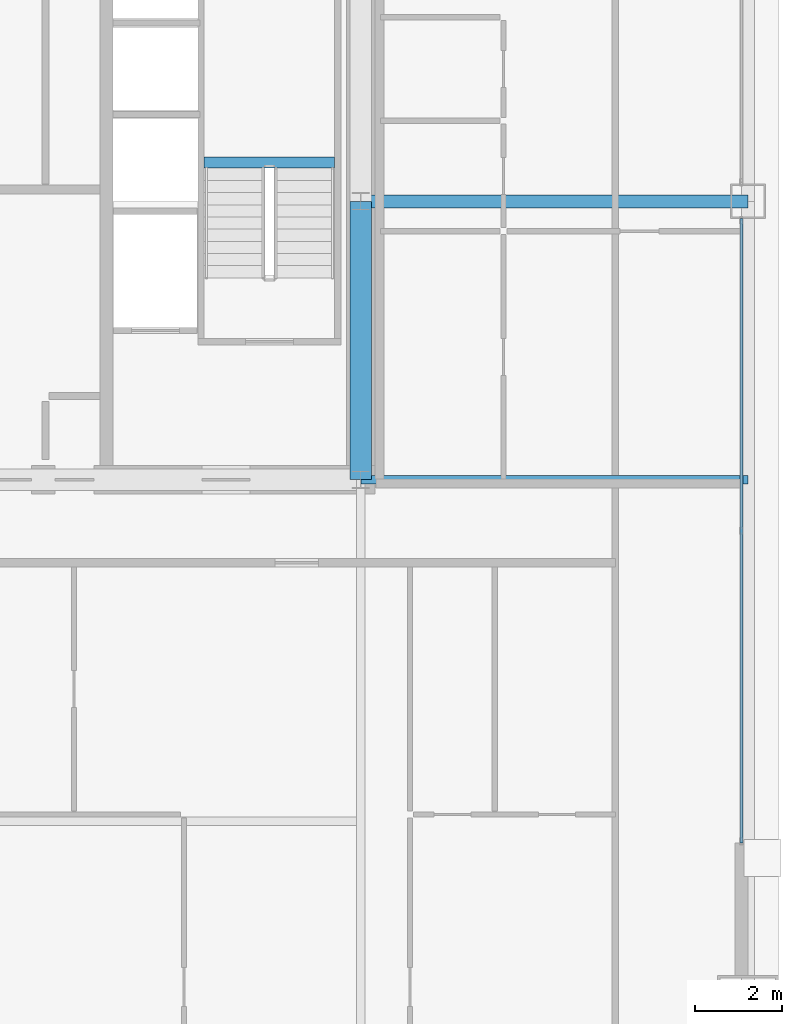
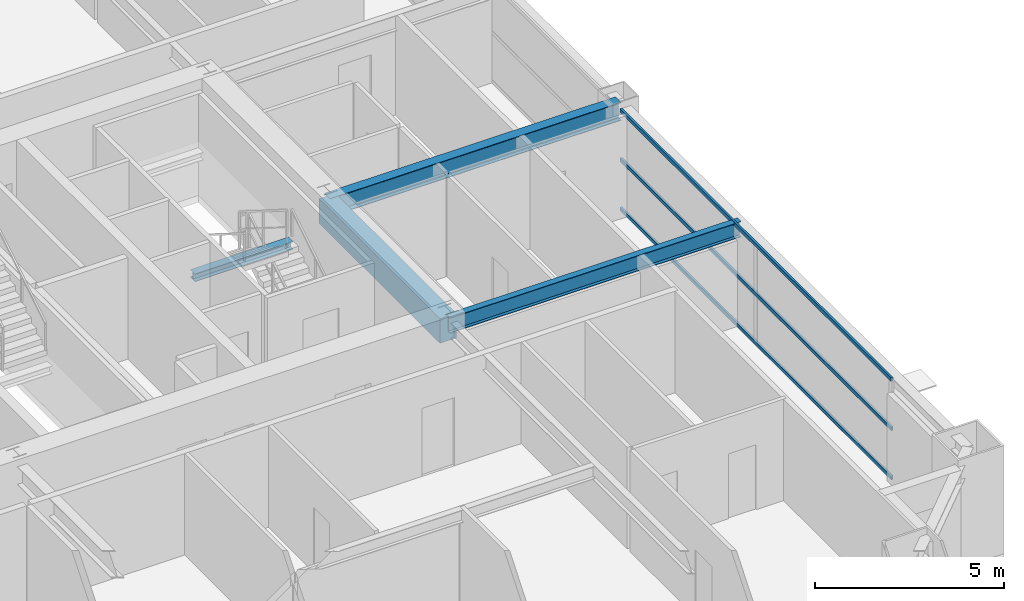
# One storey, part 19 of 38: 4 beams, 3 members, 1 element without a shape of its own.
"""IFC4 building model written with IfcOpenShell, lengths in metres."""

from ifc_helpers import new_model, si_unit, direction, frame, origin, origin_2d, place, context, subcontext, project, spatial, rectangle, hollow_rectangle, i_section, extrude, source, transform, mapped, material, layer, layer_set, material_profile, profile_set, type_object, element, aggregate, save


model = new_model("IFC4")

# Units and contexts
model_context = context("Model", 3, precision=1e-05, world=origin(), true_north=direction((0.0, 1.0)))
body_context = subcontext(model_context, "Body", "Model", "MODEL_VIEW")
ifc_project = project(units=[si_unit("LENGTHUNIT", "METRE"), si_unit("AREAUNIT", "SQUARE_METRE"), si_unit("VOLUMEUNIT", "CUBIC_METRE"), si_unit("PLANEANGLEUNIT", "RADIAN"), si_unit("MASSUNIT", "GRAM", prefix="KILO"), si_unit("THERMODYNAMICTEMPERATUREUNIT", "KELVIN"), si_unit("POWERUNIT", "WATT")], contexts=[model_context])

# Site, building, storey
site_placement = place(None, origin())
site = spatial("IfcSite", under=ifc_project, at=site_placement, CompositionType="ELEMENT")
building_placement = place(site_placement, origin())
building = spatial("IfcBuilding", under=site, at=building_placement, Name="Yuzanri Waterfront Tower", CompositionType="ELEMENT")
storey_placement = place(building_placement, frame((0.0, 0.0, 195.0)))
storey = spatial("IfcBuildingStorey", under=building, at=storey_placement, Name="L51", CompositionType="ELEMENT", Elevation=195.0)

# Beams
ifc_material_1 = material(Name="Steel Q355B", Category="steel")
ifc_material_profile_1 = material_profile(ifc_material_1, i_section(OverallWidth=0.300048828125, OverallDepth=0.587890625, WebThickness=0.011962890625, FlangeThickness=0.02001953125, at=origin_2d()), Name="HM 588x300x12x20")
ifc_profile_set_1 = profile_set([ifc_material_profile_1], Name="Steel Q355B")
beam_type_1 = type_object("IfcBeamType", Name="Primary Floor Girder Q355B HM 588x300", PredefinedType="BEAM", material=ifc_profile_set_1)
shared_shape_1 = source(origin(), body_context, "Body", "SweptSolid", [
    extrude(i_section(OverallWidth=0.300048828125, OverallDepth=0.587890625, WebThickness=0.011962890625, FlangeThickness=0.02001953125, at=origin_2d()), origin(), (0.0, 0.0, 1.0), 8.900146484375),
])
beam_1_placement = place(storey_placement, frame((50.199951171875, 25.800048828125, 2.986083984375), z_axis=(1.0, 0.0, 0.0), x_axis=(0.0, 1.0, 0.0)))
element("IfcBeam", 1, at=beam_1_placement, inside=storey, type_object=beam_type_1, Name="L51 East Grid Girder", PredefinedType="BEAM", context=body_context, shape_type="MappedRepresentation", body=[
    mapped(shared_shape_1, transform((0.0, 0.0, 0.0), scale=1.0)),
])
ifc_material_2 = material(Name="Steel Q355B", Category="steel")
ifc_material_profile_2 = material_profile(ifc_material_2, i_section(OverallWidth=0.199951171875, OverallDepth=0.5, WebThickness=0.010009765625, FlangeThickness=0.01611328125, at=origin_2d()), Name="HN 500x200x10x16")
ifc_profile_set_2 = profile_set([ifc_material_profile_2], Name="Steel Q355B")
beam_type_2 = type_object("IfcBeamType", Name="Secondary Floor Beam Q355B HN 500x200", PredefinedType="BEAM", material=ifc_profile_set_2)
shared_shape_2 = source(origin(), body_context, "Body", "SweptSolid", [
    extrude(i_section(OverallWidth=0.199951171875, OverallDepth=0.5, WebThickness=0.010009765625, FlangeThickness=0.01611328125, at=origin_2d()), origin(), (0.0, 0.0, 1.0), 8.900146484375),
])
beam_2_placement = place(storey_placement, frame((50.199951171875, 19.39990234375, 3.030029296875), z_axis=(1.0, 0.0, 0.0), x_axis=(0.0, 1.0, 0.0)))
element("IfcBeam", 2, at=beam_2_placement, inside=storey, type_object=beam_type_2, Name="L51 East-South Core Line Beam", PredefinedType="BEAM", context=body_context, shape_type="MappedRepresentation", body=[
    mapped(shared_shape_2, transform((0.0, 0.0, 0.0), scale=1.0)),
])
ifc_material_3 = material(Name="Concrete C50", Category="concrete")
ifc_material_profile_3 = material_profile(ifc_material_3, rectangle(XDim=0.5, YDim=0.800048828125, at=origin_2d()), Name="RC 500x800")
ifc_profile_set_3 = profile_set([ifc_material_profile_3], Name="Concrete C50")
beam_type_3 = type_object("IfcBeamType", Name="Core Coupling Lintel Concrete C50 500x800", PredefinedType="LINTEL", material=ifc_profile_set_3)
shared_shape_3 = source(origin(), body_context, "Body", "SweptSolid", [
    extrude(rectangle(XDim=0.5, YDim=0.800048828125, at=origin_2d()), origin(), (0.0, 0.0, 1.0), 6.400146484375),
])
beam_3_placement = place(storey_placement, frame((50.199951171875, 19.39990234375, 2.8798828125), z_axis=(0.0, 1.0, 0.0), x_axis=(-1.0, 0.0, 0.0)))
element("IfcBeam", 3, at=beam_3_placement, inside=storey, type_object=beam_type_3, Name="L51 Core Tie Beam CE1", PredefinedType="LINTEL", context=body_context, shape_type="MappedRepresentation", body=[
    mapped(shared_shape_3, transform((0.0, 0.0, 0.0), scale=1.0)),
])

# Curtain wall, members
ifc_material_4 = material(Name="Anodized Architectural Bronze", Category="metal")
ifc_layer = layer(ifc_material_4, 0.159912109375)
ifc_layer_set = layer_set([ifc_layer], Name="Anodized Architectural Bronze")
curtain_wall_type = type_object("IfcCurtainWallType", Name="Anodized Bronze Mid-Rise Residential Acoustic Unitized Curtain Wall 7200", PredefinedType="NOTDEFINED", material=ifc_layer_set)
curtain_wall_placement = place(storey_placement, origin())
curtain_wall = element("IfcCurtainWall", 4, at=curtain_wall_placement, inside=storey, type_object=curtain_wall_type, Name="L51 Curtain Wall CW-L51-EL", PredefinedType="NOTDEFINED")
ifc_material_5 = material(Name="Anodized Architectural Bronze", Category="metal")
ifc_material_profile_4 = material_profile(ifc_material_5, hollow_rectangle(XDim=0.06494140625, YDim=0.1201171875, WallThickness=0.00341796875, at=origin_2d()), Name="CWT 65x120")
ifc_profile_set_4 = profile_set([ifc_material_profile_4], Name="Anodized Architectural Bronze")
member_type = type_object("IfcMemberType", Name="Anodized Bronze Secondary Curtain-Wall Transom 65x120", PredefinedType="USERDEFINED", material=ifc_profile_set_4)
shared_shape_4 = source(origin(), body_context, "Body", "SweptSolid", [
    extrude(hollow_rectangle(XDim=0.06494140625, YDim=0.1201171875, WallThickness=0.00341796875, at=origin_2d()), origin(), (0.0, 0.0, 1.0), 14.349853515625),
])
member_1_placement = place(storey_placement, frame((58.949951171875, 11.050048828125, 0.050048828125), z_axis=(0.0, 1.0, 0.0), x_axis=(-1.0, 0.0, 0.0)))
member_1 = element("IfcMember", 5, at=member_1_placement, type_object=member_type, Name="CW-L51-EL Transom 1", ObjectType="TRANSOM", PredefinedType="USERDEFINED", context=body_context, shape_type="MappedRepresentation", body=[
    mapped(shared_shape_4, transform((0.0, 0.0, 0.0), scale=1.0)),
])
member_2_placement = place(storey_placement, frame((58.949951171875, 11.050048828125, 1.639892578125), z_axis=(0.0, 1.0, 0.0), x_axis=(-1.0, 0.0, 0.0)))
member_2 = element("IfcMember", 6, at=member_2_placement, type_object=member_type, Name="CW-L51-EL Transom 2", ObjectType="TRANSOM", PredefinedType="USERDEFINED", context=body_context, shape_type="MappedRepresentation", body=[
    mapped(shared_shape_4, transform((0.0, 0.0, 0.0), scale=1.0)),
])
member_3_placement = place(storey_placement, frame((58.949951171875, 11.050048828125, 3.22998046875), z_axis=(0.0, 1.0, 0.0), x_axis=(-1.0, 0.0, 0.0)))
member_3 = element("IfcMember", 7, at=member_3_placement, type_object=member_type, Name="CW-L51-EL Transom 3", ObjectType="TRANSOM", PredefinedType="USERDEFINED", context=body_context, shape_type="MappedRepresentation", body=[
    mapped(shared_shape_4, transform((0.0, 0.0, 0.0), scale=1.0)),
])
aggregate(curtain_wall, [member_1, member_2, member_3])

# Beam
ifc_material_6 = material(Name="Steel Q355B", Category="steel")
ifc_material_profile_5 = material_profile(ifc_material_6, i_section(OverallWidth=0.25, OverallDepth=0.25, WebThickness=0.009033203125, FlangeThickness=0.013916015625, at=origin_2d()), Name="HW 250x250x9x14")
ifc_profile_set_5 = profile_set([ifc_material_profile_5], Name="Steel Q355B")
beam_type_4 = type_object("IfcBeamType", Name="Stair Landing Support Beam Q355B HW 250x250", PredefinedType="BEAM", material=ifc_profile_set_5)
shared_shape_5 = source(origin(), body_context, "Body", "SweptSolid", [
    extrude(i_section(OverallWidth=0.25, OverallDepth=0.25, WebThickness=0.009033203125, FlangeThickness=0.013916015625, at=origin_2d()), origin(), (0.0, 0.0, 1.0), 3.0),
])
beam_4_placement = place(storey_placement, frame((46.60009765625, 26.68994140625, 1.425048828125), z_axis=(1.0, 0.0, 0.0), x_axis=(0.0, 1.0, 0.0)))
element("IfcBeam", 8, at=beam_4_placement, inside=storey, type_object=beam_type_4, Name="L51 Stair Landing Support Beam ST-02-L51-L1-1", PredefinedType="BEAM", context=body_context, shape_type="MappedRepresentation", body=[
    mapped(shared_shape_5, transform((0.0, 0.0, 0.0), scale=1.0)),
])

save(model, "model.ifc")
